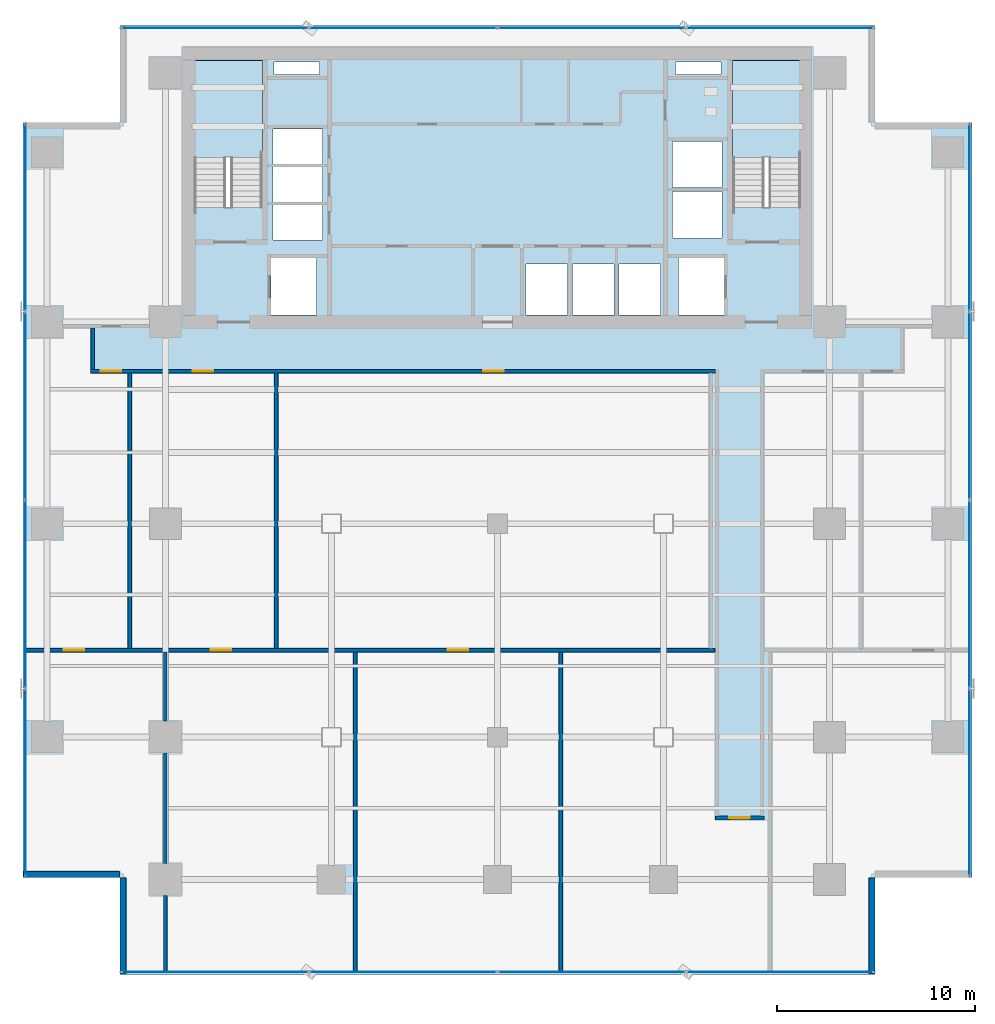
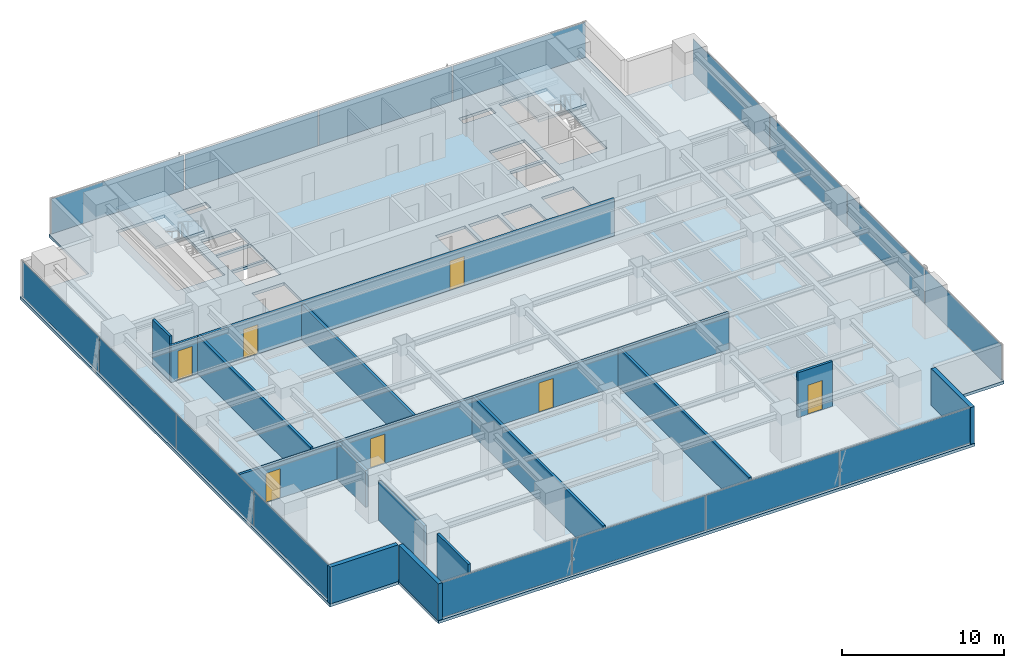
# One storey, part 20 of 28: 16 plates, 14 walls, 7 doors, 3 slabs, 7 openings, 6 elements without a shape of their own.
"""IFC4 building model written with IfcOpenShell, lengths in metres."""

from ifc_helpers import new_model, si_unit, direction, frame, frame_2d, origin, origin_2d, place, context, subcontext, project, spatial, polyline, rectangle, outline, extrude, source, transform, mapped, material, layer, layer_set, type_object, element, fill, aggregate, save


model = new_model("IFC4")

# Units and contexts
model_context = context("Model", 3, precision=1e-05, world=origin(), true_north=direction((0.0, 1.0)))
body_context = subcontext(model_context, "Body", "Model", "MODEL_VIEW")
ifc_project = project(units=[si_unit("LENGTHUNIT", "METRE"), si_unit("AREAUNIT", "SQUARE_METRE"), si_unit("VOLUMEUNIT", "CUBIC_METRE"), si_unit("PLANEANGLEUNIT", "RADIAN"), si_unit("MASSUNIT", "GRAM", prefix="KILO")], contexts=[model_context])

# Site, building, storey
site_placement = place(None, origin())
site = spatial("IfcSite", under=ifc_project, at=site_placement, CompositionType="ELEMENT")
building_placement = place(site_placement, origin())
building = spatial("IfcBuilding", under=site, at=building_placement, Name="Sumidabori Civic Tower", CompositionType="ELEMENT")
storey_placement = place(building_placement, frame((0.0, 0.0, 167.60009765625)))
storey = spatial("IfcBuildingStorey", under=building, at=storey_placement, Name="L43", CompositionType="ELEMENT", Elevation=167.60009765625)

# Stair, slab
ifc_material_1 = material(Name="Concrete C40/50", Category="concrete")
stair_type = type_object("IfcStairType", Name="ST-CORE-1600", PredefinedType="HALF_TURN_STAIR", material=ifc_material_1)
stair_1_placement = place(storey_placement, origin())
stair_1 = element("IfcStair", 1, at=stair_1_placement, inside=storey, type_object=stair_type, Name="L43 ST-1", PredefinedType="HALF_TURN_STAIR")
ifc_layer_1 = layer(ifc_material_1, 0.199951171875, Name="Concrete C40/50")
ifc_layer_set_1 = layer_set([ifc_layer_1], Name="Concrete C40/50")
slab_type_1 = type_object("IfcSlabType", Name="SL-LAND-200", PredefinedType="LANDING", material=ifc_layer_set_1)
slab_1_placement = place(storey_placement, frame((0.0, 0.0, 1.599853515625)))
slab_1 = element("IfcSlab", 2, at=slab_1_placement, type_object=slab_type_1, Name="ST-1 landing 1", PredefinedType="LANDING", context=body_context, shape_type="SweptSolid", body=[
    extrude(outline(polyline([(-11.89990234375, 18.52001953125), (-11.89990234375, 23.449951171875), (-15.340087890625, 23.449951171875), (-15.340087890625, 18.52001953125), (-11.89990234375, 18.52001953125)])), origin(), (0.0, 0.0, 1.0), 0.199951171875),
])
aggregate(stair_1, [slab_1])

stair_2_placement = place(storey_placement, origin())
stair_2 = element("IfcStair", 3, at=stair_2_placement, inside=storey, type_object=stair_type, Name="L43 ST-2", PredefinedType="HALF_TURN_STAIR")
slab_2_placement = place(storey_placement, frame((0.0, 0.0, 1.599853515625)))
slab_2 = element("IfcSlab", 4, at=slab_2_placement, type_object=slab_type_1, Name="ST-2 landing 1", PredefinedType="LANDING", context=body_context, shape_type="SweptSolid", body=[
    extrude(outline(polyline([(15.340087890625, 18.52001953125), (15.340087890625, 23.449951171875), (11.89990234375, 23.449951171875), (11.89990234375, 18.52001953125), (15.340087890625, 18.52001953125)])), origin(), (0.0, 0.0, 1.0), 0.199951171875),
])
aggregate(stair_2, [slab_2])

# Slab
ifc_layer_2 = layer(ifc_material_1, 0.219970703125, Name="Concrete C40/50")
ifc_layer_set_2 = layer_set([ifc_layer_2], Name="Concrete C40/50")
slab_type_2 = type_object("IfcSlabType", Name="SL-Z3-220", PredefinedType="FLOOR", material=ifc_layer_set_2)
slab_3_placement = place(storey_placement, frame((0.0, 0.0, -0.22021484375)))
element("IfcSlab", 5, at=slab_3_placement, inside=storey, type_object=slab_type_2, Name="Structural Slab L43", PredefinedType="FLOOR", context=body_context, shape_type="SweptSolid", body=[
    extrude(outline(polyline([(-19.10009765625, -22.800048828125), (19.10009765625, -22.800048828125), (19.10009765625, -17.89990234375), (24.0, -17.89990234375), (24.0, 20.300048828125), (19.10009765625, 20.300048828125), (19.10009765625, 25.199951171875), (-19.10009765625, 25.199951171875), (-19.10009765625, 20.300048828125), (-24.0, 20.300048828125), (-24.0, -17.89990234375), (-19.10009765625, -17.89990234375), (-19.10009765625, -22.800048828125)]), holes=[polyline([(-11.89990234375, 16.0), (-11.89990234375, 23.449951171875), (-15.340087890625, 23.449951171875), (-15.340087890625, 16.0), (-11.89990234375, 16.0)]), polyline([(15.340087890625, 16.0), (15.340087890625, 23.449951171875), (11.89990234375, 23.449951171875), (11.89990234375, 16.0), (15.340087890625, 16.0)]), polyline([(-11.449951171875, 10.550048828125), (-9.14990234375, 10.550048828125), (-9.14990234375, 13.449951171875), (-11.449951171875, 13.449951171875), (-11.449951171875, 10.550048828125)]), polyline([(9.14990234375, 10.550048828125), (11.449951171875, 10.550048828125), (11.449951171875, 13.449951171875), (9.14990234375, 13.449951171875), (9.14990234375, 10.550048828125)]), polyline([(1.449951171875, 10.550048828125), (3.550048828125, 10.550048828125), (3.550048828125, 13.14990234375), (1.449951171875, 13.14990234375), (1.449951171875, 10.550048828125)]), polyline([(3.800048828125, 10.550048828125), (5.89990234375, 10.550048828125), (5.89990234375, 13.14990234375), (3.800048828125, 13.14990234375), (3.800048828125, 10.550048828125)]), polyline([(6.14990234375, 10.550048828125), (8.25, 10.550048828125), (8.25, 13.14990234375), (6.14990234375, 13.14990234375), (6.14990234375, 10.550048828125)]), polyline([(-11.35009765625, 14.35009765625), (-8.85009765625, 14.35009765625), (-8.85009765625, 16.1201171875), (-11.35009765625, 16.1201171875), (-11.35009765625, 14.35009765625)]), polyline([(-11.35009765625, 16.27001953125), (-8.85009765625, 16.27001953125), (-8.85009765625, 18.0400390625), (-11.35009765625, 18.0400390625), (-11.35009765625, 16.27001953125)]), polyline([(-11.35009765625, 18.18994140625), (-8.85009765625, 18.18994140625), (-8.85009765625, 19.9599609375), (-11.35009765625, 19.9599609375), (-11.35009765625, 18.18994140625)]), polyline([(8.85009765625, 14.449951171875), (11.35009765625, 14.449951171875), (11.35009765625, 16.800048828125), (8.85009765625, 16.800048828125), (8.85009765625, 14.449951171875)]), polyline([(8.85009765625, 17.0), (11.35009765625, 17.0), (11.35009765625, 19.35009765625), (8.85009765625, 19.35009765625), (8.85009765625, 17.0)]), polyline([(-11.300048828125, 22.719970703125), (-9.0, 22.719970703125), (-9.0, 23.35009765625), (-11.300048828125, 23.35009765625), (-11.300048828125, 22.719970703125)]), polyline([(9.0, 22.719970703125), (11.300048828125, 22.719970703125), (11.300048828125, 23.35009765625), (9.0, 23.35009765625), (9.0, 22.719970703125)])]), origin(), (0.0, 0.0, 1.0), 0.22021484375),
])

# Curtain wall, plates
ifc_material_2 = material(Name="Anodised Bronze Aluminium AW-6063-T6", Category="aluminium")
ifc_layer_3 = layer(ifc_material_2, 0.179931640625, Name="Anodised Bronze Aluminium AW-6063-T6")
ifc_layer_set_3 = layer_set([ifc_layer_3], Name="Anodised Bronze Aluminium AW-6063-T6")
curtain_wall_type = type_object("IfcCurtainWallType", Name="CW-SYS-3", PredefinedType="NOTDEFINED", material=ifc_layer_set_3)
curtain_wall_1_placement = place(storey_placement, origin())
curtain_wall_1 = element("IfcCurtainWall", 6, at=curtain_wall_1_placement, inside=storey, type_object=curtain_wall_type, Name="Curtain Wall CW:L43:R01", PredefinedType="NOTDEFINED")
ifc_material_3 = material(Name="Low-E Solar-Control Vision Glazing", Category="glass")
ifc_layer_4 = layer(ifc_material_3, 0.028076171875, Name="Low-E Solar-Control Vision Glazing")
ifc_layer_set_4 = layer_set([ifc_layer_4], Name="Low-E Solar-Control Vision Glazing")
plate_type = type_object("IfcPlateType", Name="CW-PNL-28", PredefinedType="CURTAIN_PANEL", material=ifc_layer_set_4)
shared_shape_1 = source(origin(), body_context, "Body", "SweptSolid", [
    extrude(rectangle(XDim=9.4375, YDim=0.028076171875, at=origin_2d()), origin(), (0.0, 0.0, 1.0), 2.639892578125),
])
plate_1_placement = place(storey_placement, frame((-14.2861328125, -22.679931640625, 0.06005859375), z_axis=(0.0, 0.0, 1.0), x_axis=(1.0, 0.0, 0.0)))
plate_1 = element("IfcPlate", 7, at=plate_1_placement, type_object=plate_type, Name="CW-3 panel 1.1", PredefinedType="CURTAIN_PANEL", context=body_context, shape_type="MappedRepresentation", body=[
    mapped(shared_shape_1, transform((0.0, 0.0, 0.0), x_axis=(1.0, 0.0, 0.0), y_axis=(0.0, 1.0, 0.0), z_axis=(0.0, 0.0, 1.0), scale=1.0)),
])
plate_2_placement = place(storey_placement, frame((14.2861328125, -22.679931640625, 0.06005859375), z_axis=(0.0, 0.0, 1.0), x_axis=(1.0, 0.0, 0.0)))
plate_2 = element("IfcPlate", 8, at=plate_2_placement, type_object=plate_type, Name="CW-3 panel 4.1", PredefinedType="CURTAIN_PANEL", context=body_context, shape_type="MappedRepresentation", body=[
    mapped(shared_shape_1, transform((0.0, 0.0, 0.0), x_axis=(1.0, 0.0, 0.0), y_axis=(0.0, 1.0, 0.0), z_axis=(0.0, 0.0, 1.0), scale=1.0)),
])

curtain_wall_2_placement = place(storey_placement, origin())
curtain_wall_2 = element("IfcCurtainWall", 9, at=curtain_wall_2_placement, inside=storey, type_object=curtain_wall_type, Name="Curtain Wall CW:L43:R04", PredefinedType="NOTDEFINED")
plate_3_placement = place(storey_placement, frame((23.8798828125, -13.086181640625, 0.06005859375), z_axis=(0.0, 0.0, 1.0), x_axis=(0.0, 1.0, 0.0)))
plate_3 = element("IfcPlate", 10, at=plate_3_placement, type_object=plate_type, Name="CW-3 panel 1.1", PredefinedType="CURTAIN_PANEL", context=body_context, shape_type="MappedRepresentation", body=[
    mapped(shared_shape_1, transform((0.0, 0.0, 0.0), x_axis=(1.0, 0.0, 0.0), y_axis=(0.0, 1.0, 0.0), z_axis=(0.0, 0.0, 1.0), scale=1.0)),
])
plate_4_placement = place(storey_placement, frame((23.8798828125, 15.486328125, 0.06005859375), z_axis=(0.0, 0.0, 1.0), x_axis=(0.0, 1.0, 0.0)))
plate_4 = element("IfcPlate", 11, at=plate_4_placement, type_object=plate_type, Name="CW-3 panel 4.1", PredefinedType="CURTAIN_PANEL", context=body_context, shape_type="MappedRepresentation", body=[
    mapped(shared_shape_1, transform((0.0, 0.0, 0.0), x_axis=(1.0, 0.0, 0.0), y_axis=(0.0, 1.0, 0.0), z_axis=(0.0, 0.0, 1.0), scale=1.0)),
])

curtain_wall_3_placement = place(storey_placement, origin())
curtain_wall_3 = element("IfcCurtainWall", 12, at=curtain_wall_3_placement, inside=storey, type_object=curtain_wall_type, Name="Curtain Wall CW:L43:R07", PredefinedType="NOTDEFINED")
plate_5_placement = place(storey_placement, frame((14.2861328125, 25.080078125, 0.06005859375), z_axis=(0.0, 0.0, 1.0), x_axis=(-1.0, 0.0, 0.0)))
plate_5 = element("IfcPlate", 13, at=plate_5_placement, type_object=plate_type, Name="CW-3 panel 1.1", PredefinedType="CURTAIN_PANEL", context=body_context, shape_type="MappedRepresentation", body=[
    mapped(shared_shape_1, transform((0.0, 0.0, 0.0), x_axis=(1.0, 0.0, 0.0), y_axis=(0.0, 1.0, 0.0), z_axis=(0.0, 0.0, 1.0), scale=1.0)),
])
plate_6_placement = place(storey_placement, frame((-14.2861328125, 25.080078125, 0.06005859375), z_axis=(0.0, 0.0, 1.0), x_axis=(-1.0, 0.0, 0.0)))
plate_6 = element("IfcPlate", 14, at=plate_6_placement, type_object=plate_type, Name="CW-3 panel 4.1", PredefinedType="CURTAIN_PANEL", context=body_context, shape_type="MappedRepresentation", body=[
    mapped(shared_shape_1, transform((0.0, 0.0, 0.0), x_axis=(1.0, 0.0, 0.0), y_axis=(0.0, 1.0, 0.0), z_axis=(0.0, 0.0, 1.0), scale=1.0)),
])

curtain_wall_4_placement = place(storey_placement, origin())
curtain_wall_4 = element("IfcCurtainWall", 15, at=curtain_wall_4_placement, inside=storey, type_object=curtain_wall_type, Name="Curtain Wall CW:L43:R10", PredefinedType="NOTDEFINED")
plate_7_placement = place(storey_placement, frame((-23.8798828125, 15.486328125, 0.06005859375), z_axis=(0.0, 0.0, 1.0), x_axis=(0.0, -1.0, 0.0)))
plate_7 = element("IfcPlate", 16, at=plate_7_placement, type_object=plate_type, Name="CW-3 panel 1.1", PredefinedType="CURTAIN_PANEL", context=body_context, shape_type="MappedRepresentation", body=[
    mapped(shared_shape_1, transform((0.0, 0.0, 0.0), x_axis=(1.0, 0.0, 0.0), y_axis=(0.0, 1.0, 0.0), z_axis=(0.0, 0.0, 1.0), scale=1.0)),
])
plate_8_placement = place(storey_placement, frame((-23.8798828125, -13.086181640625, 0.06005859375), z_axis=(0.0, 0.0, 1.0), x_axis=(0.0, -1.0, 0.0)))
plate_8 = element("IfcPlate", 17, at=plate_8_placement, type_object=plate_type, Name="CW-3 panel 4.1", PredefinedType="CURTAIN_PANEL", context=body_context, shape_type="MappedRepresentation", body=[
    mapped(shared_shape_1, transform((0.0, 0.0, 0.0), x_axis=(1.0, 0.0, 0.0), y_axis=(0.0, 1.0, 0.0), z_axis=(0.0, 0.0, 1.0), scale=1.0)),
])

# Plate
shared_shape_2 = source(origin(), body_context, "Body", "SweptSolid", [
    extrude(rectangle(XDim=9.469970703125, YDim=0.028076171875, at=origin_2d()), origin(), (0.0, 0.0, 1.0), 2.639892578125),
])
plate_9_placement = place(storey_placement, frame((-4.767578125, -22.679931640625, 0.06005859375), z_axis=(0.0, 0.0, 1.0), x_axis=(1.0, 0.0, 0.0)))
plate_9 = element("IfcPlate", 18, at=plate_9_placement, type_object=plate_type, Name="CW-3 panel 2.1", PredefinedType="CURTAIN_PANEL", context=body_context, shape_type="MappedRepresentation", body=[
    mapped(shared_shape_2, transform((0.0, 0.0, 0.0), x_axis=(1.0, 0.0, 0.0), y_axis=(0.0, 1.0, 0.0), z_axis=(0.0, 0.0, 1.0), scale=1.0)),
])

plate_10_placement = place(storey_placement, frame((4.767578125, -22.679931640625, 0.06005859375), z_axis=(0.0, 0.0, 1.0), x_axis=(1.0, 0.0, 0.0)))
plate_10 = element("IfcPlate", 19, at=plate_10_placement, type_object=plate_type, Name="CW-3 panel 3.1", PredefinedType="CURTAIN_PANEL", context=body_context, shape_type="MappedRepresentation", body=[
    mapped(shared_shape_2, transform((0.0, 0.0, 0.0), x_axis=(1.0, 0.0, 0.0), y_axis=(0.0, 1.0, 0.0), z_axis=(0.0, 0.0, 1.0), scale=1.0)),
])

aggregate(curtain_wall_1, [plate_1, plate_9, plate_10, plate_2])

plate_11_placement = place(storey_placement, frame((23.8798828125, -3.5673828125, 0.06005859375), z_axis=(0.0, 0.0, 1.0), x_axis=(0.0, 1.0, 0.0)))
plate_11 = element("IfcPlate", 20, at=plate_11_placement, type_object=plate_type, Name="CW-3 panel 2.1", PredefinedType="CURTAIN_PANEL", context=body_context, shape_type="MappedRepresentation", body=[
    mapped(shared_shape_2, transform((0.0, 0.0, 0.0), x_axis=(1.0, 0.0, 0.0), y_axis=(0.0, 1.0, 0.0), z_axis=(0.0, 0.0, 1.0), scale=1.0)),
])

plate_12_placement = place(storey_placement, frame((23.8798828125, 5.967529296875, 0.06005859375), z_axis=(0.0, 0.0, 1.0), x_axis=(0.0, 1.0, 0.0)))
plate_12 = element("IfcPlate", 21, at=plate_12_placement, type_object=plate_type, Name="CW-3 panel 3.1", PredefinedType="CURTAIN_PANEL", context=body_context, shape_type="MappedRepresentation", body=[
    mapped(shared_shape_2, transform((0.0, 0.0, 0.0), x_axis=(1.0, 0.0, 0.0), y_axis=(0.0, 1.0, 0.0), z_axis=(0.0, 0.0, 1.0), scale=1.0)),
])

aggregate(curtain_wall_2, [plate_3, plate_11, plate_12, plate_4])

plate_13_placement = place(storey_placement, frame((4.767578125, 25.080078125, 0.06005859375), z_axis=(0.0, 0.0, 1.0), x_axis=(-1.0, 0.0, 0.0)))
plate_13 = element("IfcPlate", 22, at=plate_13_placement, type_object=plate_type, Name="CW-3 panel 2.1", PredefinedType="CURTAIN_PANEL", context=body_context, shape_type="MappedRepresentation", body=[
    mapped(shared_shape_2, transform((0.0, 0.0, 0.0), x_axis=(1.0, 0.0, 0.0), y_axis=(0.0, 1.0, 0.0), z_axis=(0.0, 0.0, 1.0), scale=1.0)),
])

plate_14_placement = place(storey_placement, frame((-4.767578125, 25.080078125, 0.06005859375), z_axis=(0.0, 0.0, 1.0), x_axis=(-1.0, 0.0, 0.0)))
plate_14 = element("IfcPlate", 23, at=plate_14_placement, type_object=plate_type, Name="CW-3 panel 3.1", PredefinedType="CURTAIN_PANEL", context=body_context, shape_type="MappedRepresentation", body=[
    mapped(shared_shape_2, transform((0.0, 0.0, 0.0), x_axis=(1.0, 0.0, 0.0), y_axis=(0.0, 1.0, 0.0), z_axis=(0.0, 0.0, 1.0), scale=1.0)),
])

aggregate(curtain_wall_3, [plate_5, plate_13, plate_14, plate_6])

plate_15_placement = place(storey_placement, frame((-23.8798828125, 5.967529296875, 0.06005859375), z_axis=(0.0, 0.0, 1.0), x_axis=(0.0, -1.0, 0.0)))
plate_15 = element("IfcPlate", 24, at=plate_15_placement, type_object=plate_type, Name="CW-3 panel 2.1", PredefinedType="CURTAIN_PANEL", context=body_context, shape_type="MappedRepresentation", body=[
    mapped(shared_shape_2, transform((0.0, 0.0, 0.0), x_axis=(1.0, 0.0, 0.0), y_axis=(0.0, 1.0, 0.0), z_axis=(0.0, 0.0, 1.0), scale=1.0)),
])

plate_16_placement = place(storey_placement, frame((-23.8798828125, -3.5673828125, 0.06005859375), z_axis=(0.0, 0.0, 1.0), x_axis=(0.0, -1.0, 0.0)))
plate_16 = element("IfcPlate", 25, at=plate_16_placement, type_object=plate_type, Name="CW-3 panel 3.1", PredefinedType="CURTAIN_PANEL", context=body_context, shape_type="MappedRepresentation", body=[
    mapped(shared_shape_2, transform((0.0, 0.0, 0.0), x_axis=(1.0, 0.0, 0.0), y_axis=(0.0, 1.0, 0.0), z_axis=(0.0, 0.0, 1.0), scale=1.0)),
])

aggregate(curtain_wall_4, [plate_7, plate_15, plate_16, plate_8])

# Walls
ifc_material_4 = material(Name="Precast concrete C40/50", Category="concrete")
ifc_layer_5 = layer(ifc_material_4, 0.300048828125, Name="Precast concrete C40/50")
ifc_layer_set_5 = layer_set([ifc_layer_5], Name="Precast concrete C40/50")
wall_type_1 = type_object("IfcWallType", Name="WL-EXT-POD300", PredefinedType="STANDARD", material=ifc_layer_set_5)
shared_shape_3 = source(origin(), body_context, "Body", "SweptSolid", [
    extrude(rectangle(XDim=4.860107421875, YDim=0.300048828125, at=frame_2d((2.43017578125, 0.0))), origin(), (0.0, 0.0, 1.0), 2.760009765625),
])
for number, where, z_axis, x_axis, name in (
    (26, (18.949951171875, -22.780029296875, 0.0), (0.0, 0.0, 1.0), (0.0, 1.0, 0.0), "Notched Corner Spandrel Band L43-02"),
    (27, (-18.949951171875, -17.919921875, 0.0), (0.0, 0.0, 1.0), (0.0, -1.0, 0.0), "Notched Corner Spandrel Band L43-12"),
):
    element("IfcWall", number, at=place(storey_placement, frame(where, z_axis=z_axis, x_axis=x_axis)), inside=storey, type_object=wall_type_1, Name=name, PredefinedType="STANDARD", context=body_context, shape_type="MappedRepresentation", body=[
        mapped(shared_shape_3, transform((0.0, 0.0, 0.0), x_axis=(1.0, 0.0, 0.0), y_axis=(0.0, 1.0, 0.0), z_axis=(0.0, 0.0, 1.0), scale=1.0)),
    ])
shared_shape_4 = source(origin(), body_context, "Body", "SweptSolid", [
    extrude(rectangle(XDim=4.85986328125, YDim=0.300048828125, at=frame_2d((2.429931640625, 0.0))), origin(), (0.0, 0.0, 1.0), 2.760009765625),
])
wall_1_placement = place(storey_placement, frame((-23.97998046875, -17.75, 0.0), z_axis=(0.0, 0.0, 1.0), x_axis=(1.0, 0.0, 0.0)))
element("IfcWall", 28, at=wall_1_placement, inside=storey, type_object=wall_type_1, Name="Notched Corner Spandrel Band L43-11", PredefinedType="STANDARD", context=body_context, shape_type="MappedRepresentation", body=[
    mapped(shared_shape_4, transform((0.0, 0.0, 0.0), x_axis=(1.0, 0.0, 0.0), y_axis=(0.0, 1.0, 0.0), z_axis=(0.0, 0.0, 1.0), scale=1.0)),
])

# Wall, openings, doors
ifc_material_5 = material(Name="Gypsum Plasterboard Acoustic Partition")
ifc_layer_6 = layer(ifc_material_5, 0.179931640625, Name="Gypsum Plasterboard Acoustic Partition")
ifc_layer_set_6 = layer_set([ifc_layer_6], Name="Gypsum Plasterboard Acoustic Partition")
wall_type_2 = type_object("IfcWallType", Name="WL-PART-180", PredefinedType="PARTITIONING", material=ifc_layer_set_6)
shared_shape_5 = source(origin(), body_context, "Body", "SweptSolid", [
    extrude(rectangle(XDim=31.60009765625, YDim=0.179931640625, at=frame_2d((15.800048828125, 0.0))), origin(), (0.0, 0.0, 1.0), 2.764892578125),
])
wall_2_placement = place(storey_placement, frame((-20.580078125, 7.7099609375, 0.0), z_axis=(0.0, 0.0, 1.0), x_axis=(1.0, 0.0, 0.0)))
wall_2 = element("IfcWall", 29, at=wall_2_placement, inside=storey, type_object=wall_type_2, Name="Interior Partition WL:L43:CORR-SW", PredefinedType="PARTITIONING", context=body_context, shape_type="MappedRepresentation", body=[
    mapped(shared_shape_5, transform((0.0, 0.0, 0.0), x_axis=(1.0, 0.0, 0.0), y_axis=(0.0, 1.0, 0.0), z_axis=(0.0, 0.0, 1.0), scale=1.0)),
])
opening_1_placement = place(wall_2_placement, frame((0.4951171875, 0.0, 0.0)))
opening_1 = element("IfcOpeningElement", 30, at=opening_1_placement, cuts=wall_2, Name="Opening DR-4", PredefinedType="OPENING", context=body_context, shape_type="SweptSolid", body=[
    extrude(rectangle(XDim=1.0400390625, YDim=2.199951171875, at=frame_2d((0.52001953125, 1.10009765625))), frame((0.0, 0.10205078125, 0.0), z_axis=(0.0, -1.0, 0.0), x_axis=(1.0, 0.0, 0.0)), (0.0, 0.0, 1.0), 0.203857421875),
])
opening_2_placement = place(wall_2_placement, frame((5.159912109375, 0.0, 0.0)))
opening_2 = element("IfcOpeningElement", 31, at=opening_2_placement, cuts=wall_2, Name="Opening DR-4", PredefinedType="OPENING", context=body_context, shape_type="SweptSolid", body=[
    extrude(rectangle(XDim=1.0400390625, YDim=2.199951171875, at=frame_2d((0.52001953125, 1.10009765625))), frame((0.0, 0.10205078125, 0.0), z_axis=(0.0, -1.0, 0.0), x_axis=(1.0, 0.0, 0.0)), (0.0, 0.0, 1.0), 0.203857421875),
])
opening_3_placement = place(wall_2_placement, frame((19.860107421875, 0.0, 0.0)))
opening_3 = element("IfcOpeningElement", 32, at=opening_3_placement, cuts=wall_2, Name="Opening DR-4", PredefinedType="OPENING", context=body_context, shape_type="SweptSolid", body=[
    extrude(rectangle(XDim=1.0400390625, YDim=2.199951171875, at=frame_2d((0.52001953125, 1.10009765625))), frame((0.0, 0.10205078125, 0.0), z_axis=(0.0, -1.0, 0.0), x_axis=(1.0, 0.0, 0.0)), (0.0, 0.0, 1.0), 0.203857421875),
])
ifc_material_6 = material(Name="Japanese Hinoki Timber", Category="wood")
door_type = type_object("IfcDoorType", Name="DR-INT-1040", OperationType="NOTDEFINED", PredefinedType="DOOR", material=ifc_material_6)
shared_shape_6 = source(origin(), body_context, "Body", "SweptSolid", [
    extrude(rectangle(XDim=1.0400390625, YDim=2.199951171875, at=frame_2d((0.52001953125, 1.10009765625))), frame((0.0, 0.02490234375, 0.0), z_axis=(0.0, -1.0, 0.0), x_axis=(1.0, 0.0, 0.0)), (0.0, 0.0, 1.0), 0.050048828125),
])
door_1_placement = place(opening_1_placement, origin())
door_1 = element("IfcDoor", 33, at=door_1_placement, inside=storey, type_object=door_type, Name="Door DR:L43:D02", OperationType="SINGLE_SWING_RIGHT", OverallHeight=2.199951171875, OverallWidth=1.0400390625, PredefinedType="DOOR", context=body_context, shape_type="MappedRepresentation", body=[
    mapped(shared_shape_6, transform((0.0, 0.0, 0.0), x_axis=(1.0, 0.0, 0.0), y_axis=(0.0, 1.0, 0.0), z_axis=(0.0, 0.0, 1.0), scale=1.0)),
])
fill(opening_1, door_1)
door_2_placement = place(opening_2_placement, origin())
door_2 = element("IfcDoor", 34, at=door_2_placement, inside=storey, type_object=door_type, Name="Door DR:L43:D04", OperationType="SINGLE_SWING_RIGHT", OverallHeight=2.199951171875, OverallWidth=1.0400390625, PredefinedType="DOOR", context=body_context, shape_type="MappedRepresentation", body=[
    mapped(shared_shape_6, transform((0.0, 0.0, 0.0), x_axis=(1.0, 0.0, 0.0), y_axis=(0.0, 1.0, 0.0), z_axis=(0.0, 0.0, 1.0), scale=1.0)),
])
fill(opening_2, door_2)
door_3_placement = place(opening_3_placement, origin())
door_3 = element("IfcDoor", 35, at=door_3_placement, inside=storey, type_object=door_type, Name="Door DR:L43:D05", OperationType="SINGLE_SWING_LEFT", OverallHeight=2.199951171875, OverallWidth=1.0400390625, PredefinedType="DOOR", context=body_context, shape_type="MappedRepresentation", body=[
    mapped(shared_shape_6, transform((0.0, 0.0, 0.0), x_axis=(1.0, 0.0, 0.0), y_axis=(0.0, 1.0, 0.0), z_axis=(0.0, 0.0, 1.0), scale=1.0)),
])
fill(opening_3, door_3)

# Wall, opening, door
shared_shape_7 = source(origin(), body_context, "Body", "SweptSolid", [
    extrude(rectangle(XDim=2.4599609375, YDim=0.179931640625, at=frame_2d((1.22998046875, 0.0))), origin(), (0.0, 0.0, 1.0), 3.3798828125),
])
wall_3_placement = place(storey_placement, frame((11.02001953125, -14.889892578125, 0.0), z_axis=(0.0, 0.0, 1.0), x_axis=(1.0, 0.0, 0.0)))
wall_3 = element("IfcWall", 36, at=wall_3_placement, inside=storey, type_object=wall_type_2, Name="Interior Partition WL:L43:CORR-CAP-E", PredefinedType="PARTITIONING", context=body_context, shape_type="MappedRepresentation", body=[
    mapped(shared_shape_7, transform((0.0, 0.0, 0.0), x_axis=(1.0, 0.0, 0.0), y_axis=(0.0, 1.0, 0.0), z_axis=(0.0, 0.0, 1.0), scale=1.0)),
])
opening_4_placement = place(wall_3_placement, frame((0.7099609375, 0.0, 0.0)))
opening_4 = element("IfcOpeningElement", 37, at=opening_4_placement, cuts=wall_3, Name="Opening DR-4", PredefinedType="OPENING", context=body_context, shape_type="SweptSolid", body=[
    extrude(rectangle(XDim=1.0400390625, YDim=2.199951171875, at=frame_2d((0.52001953125, 1.10009765625))), frame((0.0, 0.10205078125, 0.0), z_axis=(0.0, -1.0, 0.0), x_axis=(1.0, 0.0, 0.0)), (0.0, 0.0, 1.0), 0.203857421875),
])
door_4_placement = place(opening_4_placement, origin())
door_4 = element("IfcDoor", 38, at=door_4_placement, inside=storey, type_object=door_type, Name="Door DR:L43:D07", OperationType="SINGLE_SWING_LEFT", OverallHeight=2.199951171875, OverallWidth=1.0400390625, PredefinedType="DOOR", context=body_context, shape_type="MappedRepresentation", body=[
    mapped(shared_shape_6, transform((0.0, 0.0, 0.0), x_axis=(1.0, 0.0, 0.0), y_axis=(0.0, 1.0, 0.0), z_axis=(0.0, 0.0, 1.0), scale=1.0)),
])
fill(opening_4, door_4)

# Wall
shared_shape_8 = source(origin(), body_context, "Body", "SweptSolid", [
    extrude(rectangle(XDim=2.10009765625, YDim=0.179931640625, at=frame_2d((1.050048828125, 0.0))), origin(), (0.0, 0.0, 1.0), 3.3798828125),
])
wall_4_placement = place(storey_placement, frame((-20.489990234375, 7.804931640625, 0.0), z_axis=(0.0, 0.0, 1.0), x_axis=(0.0, 1.0, 0.0)))
element("IfcWall", 39, at=wall_4_placement, inside=storey, type_object=wall_type_2, Name="Interior Partition WL:L43:CORR-VNW", PredefinedType="PARTITIONING", context=body_context, shape_type="MappedRepresentation", body=[
    mapped(shared_shape_8, transform((0.0, 0.0, 0.0), x_axis=(1.0, 0.0, 0.0), y_axis=(0.0, 1.0, 0.0), z_axis=(0.0, 0.0, 1.0), scale=1.0)),
])

# Wall, openings, doors
shared_shape_9 = source(origin(), body_context, "Body", "SweptSolid", [
    extrude(rectangle(XDim=34.864990234375, YDim=0.179931640625, at=frame_2d((17.4326171875, 0.0))), origin(), (0.0, 0.0, 1.0), 2.764892578125),
])
wall_5_placement = place(storey_placement, frame((-23.85009765625, -6.39990234375, 0.0), z_axis=(0.0, 0.0, 1.0), x_axis=(1.0, 0.0, 0.0)))
wall_5 = element("IfcWall", 40, at=wall_5_placement, inside=storey, type_object=wall_type_2, Name="Interior Partition WL:L43:BAND-Y-1", PredefinedType="PARTITIONING", context=body_context, shape_type="MappedRepresentation", body=[
    mapped(shared_shape_9, transform((0.0, 0.0, 0.0), x_axis=(1.0, 0.0, 0.0), y_axis=(0.0, 1.0, 0.0), z_axis=(0.0, 0.0, 1.0), scale=1.0)),
])
opening_5_placement = place(wall_5_placement, frame((1.89990234375, 0.0, 0.0)))
opening_5 = element("IfcOpeningElement", 41, at=opening_5_placement, cuts=wall_5, Name="Opening DR-4", PredefinedType="OPENING", context=body_context, shape_type="SweptSolid", body=[
    extrude(rectangle(XDim=1.0400390625, YDim=2.199951171875, at=frame_2d((0.52001953125, 1.10009765625))), frame((0.0, 0.10205078125, 0.0), z_axis=(0.0, -1.0, 0.0), x_axis=(1.0, 0.0, 0.0)), (0.0, 0.0, 1.0), 0.203857421875),
])
opening_6_placement = place(wall_5_placement, frame((9.330078125, 0.0, 0.0)))
opening_6 = element("IfcOpeningElement", 42, at=opening_6_placement, cuts=wall_5, Name="Opening DR-4", PredefinedType="OPENING", context=body_context, shape_type="SweptSolid", body=[
    extrude(rectangle(XDim=1.0400390625, YDim=2.199951171875, at=frame_2d((0.52001953125, 1.10009765625))), frame((0.0, 0.10205078125, 0.0), z_axis=(0.0, -1.0, 0.0), x_axis=(1.0, 0.0, 0.0)), (0.0, 0.0, 1.0), 0.203857421875),
])
opening_7_placement = place(wall_5_placement, frame((21.330078125, 0.0, 0.0)))
opening_7 = element("IfcOpeningElement", 43, at=opening_7_placement, cuts=wall_5, Name="Opening DR-4", PredefinedType="OPENING", context=body_context, shape_type="SweptSolid", body=[
    extrude(rectangle(XDim=1.0400390625, YDim=2.199951171875, at=frame_2d((0.52001953125, 1.10009765625))), frame((0.0, 0.10205078125, 0.0), z_axis=(0.0, -1.0, 0.0), x_axis=(1.0, 0.0, 0.0)), (0.0, 0.0, 1.0), 0.203857421875),
])
door_5_placement = place(opening_5_placement, origin())
door_5 = element("IfcDoor", 44, at=door_5_placement, inside=storey, type_object=door_type, Name="Door DR:L43:D08", OperationType="SINGLE_SWING_RIGHT", OverallHeight=2.199951171875, OverallWidth=1.0400390625, PredefinedType="DOOR", context=body_context, shape_type="MappedRepresentation", body=[
    mapped(shared_shape_6, transform((0.0, 0.0, 0.0), x_axis=(1.0, 0.0, 0.0), y_axis=(0.0, 1.0, 0.0), z_axis=(0.0, 0.0, 1.0), scale=1.0)),
])
fill(opening_5, door_5)
door_6_placement = place(opening_6_placement, origin())
door_6 = element("IfcDoor", 45, at=door_6_placement, inside=storey, type_object=door_type, Name="Door DR:L43:D10", OperationType="SINGLE_SWING_RIGHT", OverallHeight=2.199951171875, OverallWidth=1.0400390625, PredefinedType="DOOR", context=body_context, shape_type="MappedRepresentation", body=[
    mapped(shared_shape_6, transform((0.0, 0.0, 0.0), x_axis=(1.0, 0.0, 0.0), y_axis=(0.0, 1.0, 0.0), z_axis=(0.0, 0.0, 1.0), scale=1.0)),
])
fill(opening_6, door_6)
door_7_placement = place(opening_7_placement, origin())
door_7 = element("IfcDoor", 46, at=door_7_placement, inside=storey, type_object=door_type, Name="Door DR:L43:D11", OperationType="SINGLE_SWING_LEFT", OverallHeight=2.199951171875, OverallWidth=1.0400390625, PredefinedType="DOOR", context=body_context, shape_type="MappedRepresentation", body=[
    mapped(shared_shape_6, transform((0.0, 0.0, 0.0), x_axis=(1.0, 0.0, 0.0), y_axis=(0.0, 1.0, 0.0), z_axis=(0.0, 0.0, 1.0), scale=1.0)),
])
fill(opening_7, door_7)

# Walls
shared_shape_10 = source(origin(), body_context, "Body", "SweptSolid", [
    extrude(rectangle(XDim=13.919921875, YDim=0.179931640625, at=frame_2d((6.9599609375, 0.0))), origin(), (0.0, 0.0, 1.0), 2.914794921875),
])
wall_6_placement = place(storey_placement, frame((-18.60009765625, -6.304931640625, 0.0), z_axis=(0.0, 0.0, 1.0), x_axis=(0.0, 1.0, 0.0)))
element("IfcWall", 47, at=wall_6_placement, inside=storey, type_object=wall_type_2, Name="Interior Partition WL:L43:VX-N1", PredefinedType="PARTITIONING", context=body_context, shape_type="MappedRepresentation", body=[
    mapped(shared_shape_10, transform((0.0, 0.0, 0.0), x_axis=(1.0, 0.0, 0.0), y_axis=(0.0, 1.0, 0.0), z_axis=(0.0, 0.0, 1.0), scale=1.0)),
])
shared_shape_11 = source(origin(), body_context, "Body", "SweptSolid", [
    extrude(rectangle(XDim=13.919921875, YDim=0.179931640625, at=frame_2d((6.9599609375, 0.0))), origin(), (0.0, 0.0, 1.0), 2.664794921875),
])
wall_7_placement = place(storey_placement, frame((-11.199951171875, -6.304931640625, 0.0), z_axis=(0.0, 0.0, 1.0), x_axis=(0.0, 1.0, 0.0)))
element("IfcWall", 48, at=wall_7_placement, inside=storey, type_object=wall_type_2, Name="Interior Partition WL:L43:VX-N2", PredefinedType="PARTITIONING", context=body_context, shape_type="MappedRepresentation", body=[
    mapped(shared_shape_11, transform((0.0, 0.0, 0.0), x_axis=(1.0, 0.0, 0.0), y_axis=(0.0, 1.0, 0.0), z_axis=(0.0, 0.0, 1.0), scale=1.0)),
])
shared_shape_12 = source(origin(), body_context, "Body", "SweptSolid", [
    extrude(rectangle(XDim=3.83984375, YDim=0.179931640625, at=frame_2d((1.919921875, 0.0))), origin(), (0.0, 0.0, 1.0), 3.3798828125),
])
wall_8_placement = place(storey_placement, frame((-16.800048828125, -22.64990234375, 0.0), z_axis=(0.0, 0.0, 1.0), x_axis=(0.0, 1.0, 0.0)))
element("IfcWall", 49, at=wall_8_placement, inside=storey, type_object=wall_type_2, Name="Interior Partition WL:L43:VX-S1-1", PredefinedType="PARTITIONING", context=body_context, shape_type="MappedRepresentation", body=[
    mapped(shared_shape_12, transform((0.0, 0.0, 0.0), x_axis=(1.0, 0.0, 0.0), y_axis=(0.0, 1.0, 0.0), z_axis=(0.0, 0.0, 1.0), scale=1.0)),
])
shared_shape_13 = source(origin(), body_context, "Body", "SweptSolid", [
    extrude(rectangle(XDim=5.579833984375, YDim=0.179931640625, at=frame_2d((2.7900390625, 0.0))), origin(), (0.0, 0.0, 1.0), 2.96484375),
])
wall_9_placement = place(storey_placement, frame((-16.800048828125, -17.18994140625, 0.0), z_axis=(0.0, 0.0, 1.0), x_axis=(0.0, 1.0, 0.0)))
element("IfcWall", 50, at=wall_9_placement, inside=storey, type_object=wall_type_2, Name="Interior Partition WL:L43:VX-S1-2", PredefinedType="PARTITIONING", context=body_context, shape_type="MappedRepresentation", body=[
    mapped(shared_shape_13, transform((0.0, 0.0, 0.0), x_axis=(1.0, 0.0, 0.0), y_axis=(0.0, 1.0, 0.0), z_axis=(0.0, 0.0, 1.0), scale=1.0)),
])
shared_shape_14 = source(origin(), body_context, "Body", "SweptSolid", [
    extrude(rectangle(XDim=3.494873046875, YDim=0.179931640625, at=frame_2d((1.74755859375, 0.0))), origin(), (0.0, 0.0, 1.0), 2.764892578125),
])
wall_10_placement = place(storey_placement, frame((-16.800048828125, -9.989990234375, 0.0), z_axis=(0.0, 0.0, 1.0), x_axis=(0.0, 1.0, 0.0)))
element("IfcWall", 51, at=wall_10_placement, inside=storey, type_object=wall_type_2, Name="Interior Partition WL:L43:VX-S1-3", PredefinedType="PARTITIONING", context=body_context, shape_type="MappedRepresentation", body=[
    mapped(shared_shape_14, transform((0.0, 0.0, 0.0), x_axis=(1.0, 0.0, 0.0), y_axis=(0.0, 1.0, 0.0), z_axis=(0.0, 0.0, 1.0), scale=1.0)),
])
shared_shape_15 = source(origin(), body_context, "Body", "SweptSolid", [
    extrude(rectangle(XDim=16.15478515625, YDim=0.179931640625, at=frame_2d((8.077392578125, 0.0))), origin(), (0.0, 0.0, 1.0), 2.914794921875),
])
for number, where, z_axis, x_axis, name in (
    (52, (-7.199951171875, -22.64990234375, 0.0), (0.0, 0.0, 1.0), (0.0, 1.0, 0.0), "Interior Partition WL:L43:VX-S2"),
    (53, (3.199951171875, -22.64990234375, 0.0), (0.0, 0.0, 1.0), (0.0, 1.0, 0.0), "Interior Partition WL:L43:VX-S3"),
):
    element("IfcWall", number, at=place(storey_placement, frame(where, z_axis=z_axis, x_axis=x_axis)), inside=storey, type_object=wall_type_2, Name=name, PredefinedType="PARTITIONING", context=body_context, shape_type="MappedRepresentation", body=[
        mapped(shared_shape_15, transform((0.0, 0.0, 0.0), x_axis=(1.0, 0.0, 0.0), y_axis=(0.0, 1.0, 0.0), z_axis=(0.0, 0.0, 1.0), scale=1.0)),
    ])

save(model, "model.ifc")
